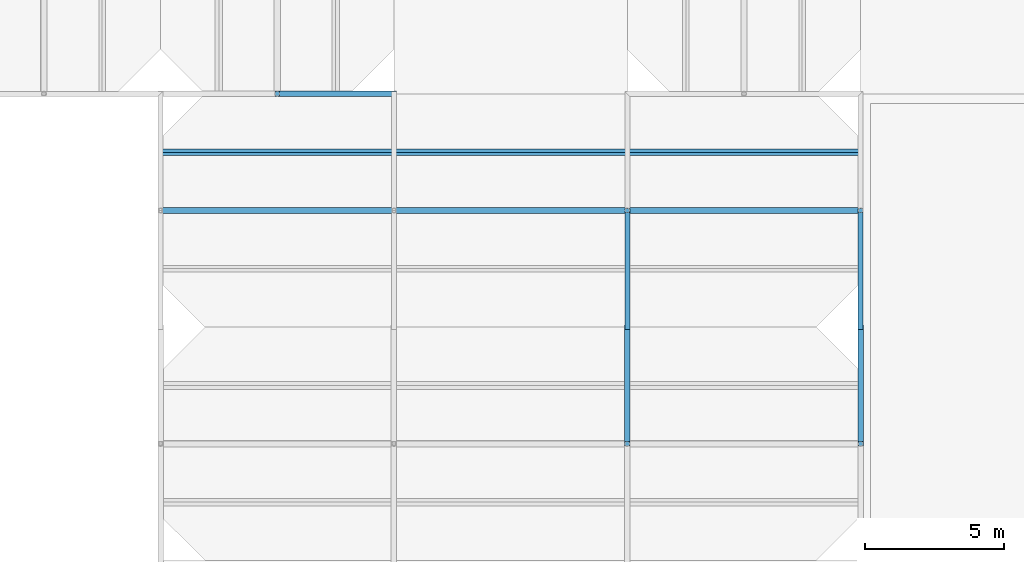
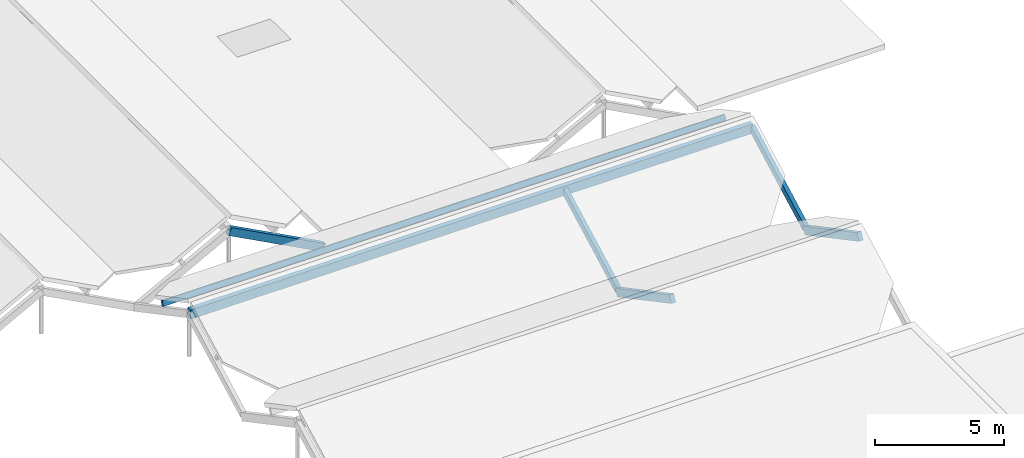
# One storey, part 58 of 82: 6 members, 1 beam.
"""IFC4 building model written with IfcOpenShell, lengths in metres."""

from ifc_helpers import new_model, si_unit, direction, frame, origin, origin_2d, place, context, subcontext, project, spatial, rectangle, extrude, material, material_profile, profile_set, type_object, element, save


model = new_model("IFC4")

# Units and contexts
model_context = context("Model", 3, precision=1e-05, world=origin(), true_north=direction((0.0, 1.0)))
body_context = subcontext(model_context, "Body", "Model", "MODEL_VIEW")
ifc_project = project(units=[si_unit("LENGTHUNIT", "METRE"), si_unit("AREAUNIT", "SQUARE_METRE"), si_unit("VOLUMEUNIT", "CUBIC_METRE"), si_unit("PLANEANGLEUNIT", "RADIAN"), si_unit("MASSUNIT", "GRAM", prefix="KILO")], contexts=[model_context])

# Site, building, storey
site_placement = place(None, origin())
site = spatial("IfcSite", under=ifc_project, at=site_placement, CompositionType="ELEMENT")
building_placement = place(site_placement, origin())
building = spatial("IfcBuilding", under=site, at=building_placement, Name="Bramfleet General Hospital", CompositionType="ELEMENT")
storey_placement = place(building_placement, frame((0.0, 0.0, 34.199951171875)))
storey = spatial("IfcBuildingStorey", under=building, at=storey_placement, Name="Roof", CompositionType="ELEMENT", Elevation=34.199951171875)

# Beam
ifc_material = material(Name="Structural timber GL28h", Category="wood")
ifc_material_profile_1 = material_profile(ifc_material, rectangle(XDim=0.219970703125, YDim=0.43994140625, at=origin_2d()), Name="GL28h 440x220")
ifc_profile_set_1 = profile_set([ifc_material_profile_1], Name="Structural timber GL28h")
beam_type = type_object("IfcBeamType", Name="BM-GL440", PredefinedType="BEAM", material=ifc_profile_set_1)
beam_placement = place(storey_placement, frame((92.39990234375, 88.199951171875, 1.561279296875), z_axis=(1.0, 0.0, 0.0), x_axis=(0.0, 1.0, 0.0)))
element("IfcBeam", 1, at=beam_placement, inside=storey, type_object=beam_type, Name="Patient House PH-14 Glulam Ridge Beam", PredefinedType="BEAM", context=body_context, shape_type="SweptSolid", body=[
    extrude(rectangle(XDim=0.219970703125, YDim=0.43994140625, at=origin_2d()), origin(), (0.0, 0.0, 1.0), 25.2001953125),
])

# Members
ifc_material_profile_2 = material_profile(ifc_material, rectangle(XDim=0.139892578125, YDim=0.239990234375, at=origin_2d()), Name="GL28h 240x140")
ifc_profile_set_2 = profile_set([ifc_material_profile_2], Name="Structural timber GL28h")
member_type_1 = type_object("IfcMemberType", Name="MEM-PR-GL240", PredefinedType="PURLIN", material=ifc_profile_set_2)
member_placement = place(storey_placement, frame((92.39990234375, 90.300048828125, 0.754638671875), z_axis=(1.0, 0.0, 0.0), x_axis=(0.0, 0.882947592859, -0.469471562786)))
element("IfcMember", 2, at=member_placement, inside=storey, type_object=member_type_1, Name="Patient House PH-14 North Glulam Purlin", PredefinedType="PURLIN", context=body_context, shape_type="SweptSolid", body=[
    extrude(rectangle(XDim=0.139892578125, YDim=0.239990234375, at=origin_2d()), origin(), (0.0, 0.0, 1.0), 25.2001953125),
])
ifc_material_profile_3 = material_profile(ifc_material, rectangle(XDim=0.179931640625, YDim=0.320068359375, at=origin_2d()), Name="GL28h 320x180")
ifc_profile_set_3 = profile_set([ifc_material_profile_3], Name="Structural timber GL28h")
member_type_2 = type_object("IfcMemberType", Name="MEM-RF-GL320", PredefinedType="RAFTER", material=ifc_profile_set_3)
for number, where, z_axis, x_axis, name in (
    (3, (109.199951171875, 84.0, -0.671875), (0.0, 0.882947536541, 0.469471668705), (-1.0, 0.0, 0.0), "Patient House PH-14 South Glulam Rafter 2"),
    (4, (117.60009765625, 84.0, -0.671875), (0.0, 0.882947536541, 0.469471668705), (-1.0, 0.0, 0.0), "Patient House PH-14 South Glulam Rafter 3"),
):
    element("IfcMember", number, at=place(storey_placement, frame(where, z_axis=z_axis, x_axis=x_axis)), inside=storey, type_object=member_type_2, Name=name, PredefinedType="RAFTER", context=body_context, shape_type="SweptSolid", body=[
        extrude(rectangle(XDim=0.179931640625, YDim=0.320068359375, at=origin_2d()), origin(), (0.0, 0.0, 1.0), 4.7568359375),
    ])
ifc_material_profile_4 = material_profile(ifc_material, rectangle(XDim=0.199951171875, YDim=0.360107421875, at=origin_2d()), Name="GL28h 360x200")
ifc_profile_set_4 = profile_set([ifc_material_profile_4], Name="Structural timber GL28h")
member_type_3 = type_object("IfcMemberType", Name="MEM-RF-GL360", PredefinedType="RAFTER", material=ifc_profile_set_4)
for number, where, z_axis, x_axis, name in (
    (5, (96.60009765625, 92.39990234375, 1.476806640625), (0.882947536541, 0.0, -0.469471668705), (0.0, 1.0, 0.0), "Patient House PH-03 East Glulam Rafter 0"),
    (6, (109.199951171875, 79.800048828125, 1.476806640625), (0.0, 0.882947536541, -0.469471668705), (-1.0, 0.0, 0.0), "Patient House PH-13 North Glulam Rafter 2"),
    (7, (117.60009765625, 79.800048828125, 1.476806640625), (0.0, 0.882947536541, -0.469471668705), (-1.0, 0.0, 0.0), "Patient House PH-13 North Glulam Rafter 3"),
):
    element("IfcMember", number, at=place(storey_placement, frame(where, z_axis=z_axis, x_axis=x_axis)), inside=storey, type_object=member_type_3, Name=name, PredefinedType="RAFTER", context=body_context, shape_type="SweptSolid", body=[
        extrude(rectangle(XDim=0.199951171875, YDim=0.360107421875, at=origin_2d()), origin(), (0.0, 0.0, 1.0), 4.7568359375),
    ])

save(model, "model.ifc")
